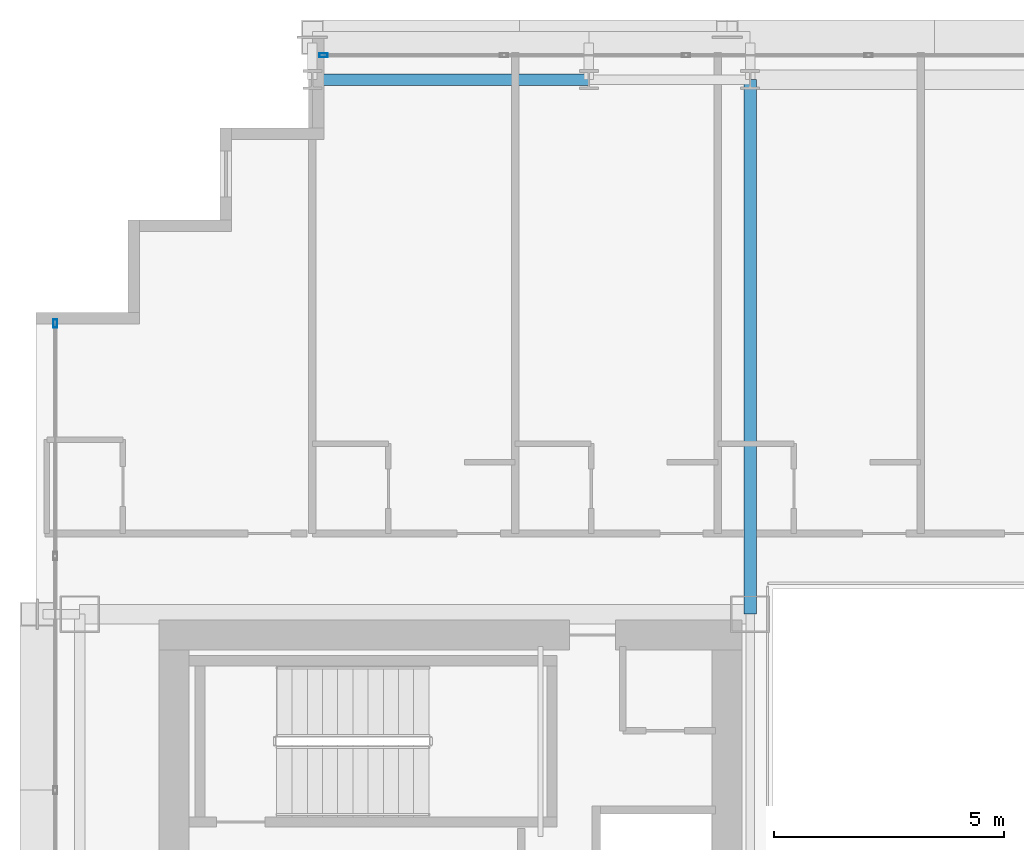
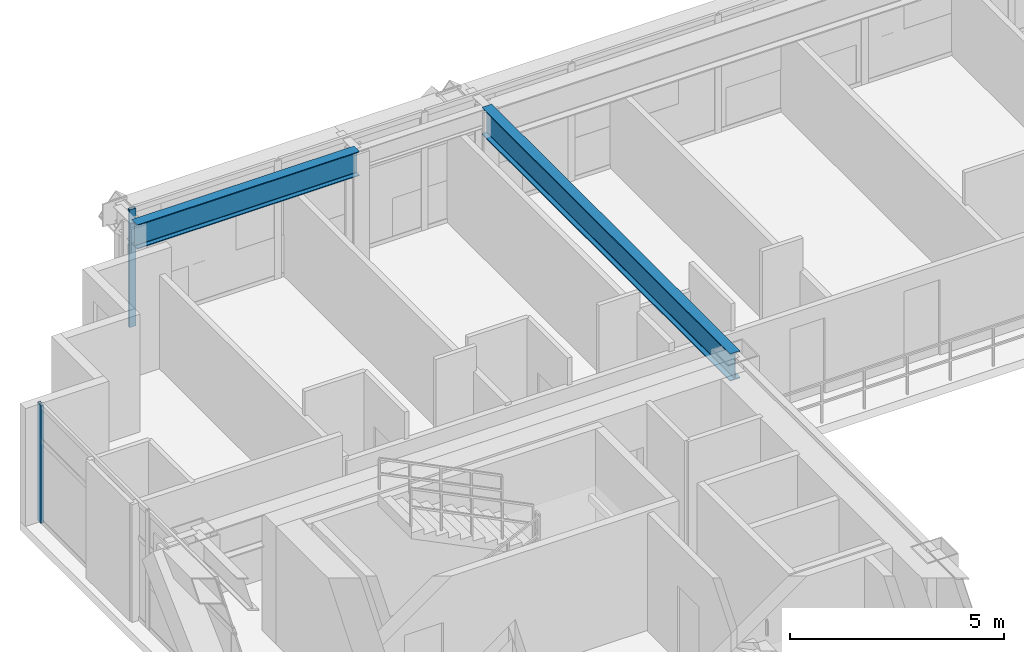
# One storey, part 17 of 36: 2 beams, 2 members, 2 elements without a shape of their own.
"""IFC4 building model written with IfcOpenShell, lengths in metres."""

from ifc_helpers import new_model, si_unit, direction, frame, origin, origin_2d, place, context, subcontext, project, spatial, hollow_rectangle, i_section, extrude, source, transform, mapped, material, layer, layer_set, material_profile, profile_set, type_object, element, aggregate, save


model = new_model("IFC4")

# Units and contexts
model_context = context("Model", 3, precision=1e-05, world=origin(), true_north=direction((0.0, 1.0)))
body_context = subcontext(model_context, "Body", "Model", "MODEL_VIEW")
ifc_project = project(units=[si_unit("LENGTHUNIT", "METRE"), si_unit("AREAUNIT", "SQUARE_METRE"), si_unit("VOLUMEUNIT", "CUBIC_METRE"), si_unit("PLANEANGLEUNIT", "RADIAN"), si_unit("MASSUNIT", "GRAM", prefix="KILO")], contexts=[model_context])

# Site, building, storey
site_placement = place(None, origin())
site = spatial("IfcSite", under=ifc_project, at=site_placement, CompositionType="ELEMENT")
building_placement = place(site_placement, origin())
building = spatial("IfcBuilding", under=site, at=building_placement, Name="Ocotamira Hotel", CompositionType="ELEMENT")
storey_placement = place(building_placement, frame((0.0, 0.0, 136.800048828125)))
storey = spatial("IfcBuildingStorey", under=building, at=storey_placement, Name="L34", CompositionType="ELEMENT", Elevation=136.800048828125)

# Beams
ifc_material_1 = material(Name="Steel ASTM A992 Grade 50", Category="steel")
ifc_material_profile_1 = material_profile(ifc_material_1, i_section(OverallWidth=0.256103515625, OverallDepth=0.693115234375, WebThickness=0.014404296875, FlangeThickness=0.023681640625, FilletRadius=0.01611328125, at=origin_2d()), Name="W27X114")
ifc_profile_set_1 = profile_set([ifc_material_profile_1], Name="Steel ASTM A992 Grade 50")
beam_type_1 = type_object("IfcBeamType", Name="BM-PRIM-W27X114", PredefinedType="BEAM", material=ifc_profile_set_1)
shared_shape_1 = source(origin(), body_context, "Body", "SweptSolid", [
    extrude(i_section(OverallWidth=0.256103515625, OverallDepth=0.693115234375, WebThickness=0.014404296875, FlangeThickness=0.023681640625, FilletRadius=0.01611328125, at=origin_2d()), origin(), (0.0, 0.0, 1.0), 6.0),
])
beam_1_placement = place(storey_placement, frame((14.0, 49.050048828125, 3.013427734375), z_axis=(1.0, 0.0, 0.0), x_axis=(0.0, 1.0, 0.0)))
element("IfcBeam", 1, at=beam_1_placement, inside=storey, type_object=beam_type_1, Name="L34 Girder Y49.05 X14-20", PredefinedType="BEAM", context=body_context, shape_type="MappedRepresentation", body=[
    mapped(shared_shape_1, transform((0.0, 0.0, 0.0), scale=1.0)),
])
ifc_material_profile_2 = material_profile(ifc_material_1, i_section(OverallWidth=0.26611328125, OverallDepth=0.779052734375, WebThickness=0.0166015625, FlangeThickness=0.030029296875, FilletRadius=0.01806640625, at=origin_2d()), Name="W30X148")
ifc_profile_set_2 = profile_set([ifc_material_profile_2], Name="Steel ASTM A992 Grade 50")
beam_type_2 = type_object("IfcBeamType", Name="BM-GIRD-W30X148", PredefinedType="BEAM", material=ifc_profile_set_2)
shared_shape_2 = source(origin(), body_context, "Body", "SweptSolid", [
    extrude(i_section(OverallWidth=0.26611328125, OverallDepth=0.779052734375, WebThickness=0.0166015625, FlangeThickness=0.030029296875, FilletRadius=0.01806640625, at=origin_2d()), origin(), (0.0, 0.0, 1.0), 11.60009765625),
])
beam_2_placement = place(storey_placement, frame((23.5, 37.449951171875, 2.970458984375), z_axis=(0.0, 1.0, 0.0), x_axis=(-1.0, 0.0, 0.0)))
element("IfcBeam", 2, at=beam_2_placement, inside=storey, type_object=beam_type_2, Name="L34 Beam X23.5 Y37.45-49.05", PredefinedType="BEAM", context=body_context, shape_type="MappedRepresentation", body=[
    mapped(shared_shape_2, transform((0.0, 0.0, 0.0), scale=1.0)),
])

# Curtain wall, member
ifc_material_2 = material(Name="Anodised pale-metal aluminium and solar glass", Category="aluminium")
ifc_layer = layer(ifc_material_2, 0.179931640625)
ifc_layer_set = layer_set([ifc_layer], Name="Anodised pale-metal aluminium and solar glass")
curtain_wall_type = type_object("IfcCurtainWallType", Name="CW-SYS3-Z2", PredefinedType="NOTDEFINED", material=ifc_layer_set)
curtain_wall_1_placement = place(storey_placement, origin())
curtain_wall_1 = element("IfcCurtainWall", 3, at=curtain_wall_1_placement, inside=storey, type_object=curtain_wall_type, Name="L34 Curtain Wall CW-3 CW-L34-N", PredefinedType="NOTDEFINED")
ifc_material_3 = material(Name="Anodised pale-metal aluminium 6063-T6", Category="aluminium")
ifc_material_profile_3 = material_profile(ifc_material_3, hollow_rectangle(XDim=0.080078125, YDim=0.179931640625, WallThickness=0.006103515625, at=origin_2d()), Name="HSS180X80X6")
ifc_profile_set_3 = profile_set([ifc_material_profile_3], Name="Anodised pale-metal aluminium 6063-T6")
member_type = type_object("IfcMemberType", Name="CWM-180X75", PredefinedType="MULLION", material=ifc_profile_set_3)
shared_shape_3 = source(origin(), body_context, "Body", "SweptSolid", [
    extrude(hollow_rectangle(XDim=0.080078125, YDim=0.179931640625, WallThickness=0.006103515625, at=origin_2d()), origin(), (0.0, 0.0, 1.0), 3.35986328125),
])
member_1_placement = place(storey_placement, frame((14.239990234375, 49.580078125, 0.0), z_axis=(0.0, 0.0, 1.0), x_axis=(0.0, 1.0, 0.0)))
member_1 = element("IfcMember", 4, at=member_1_placement, type_object=member_type, Name="CW-3 mullion 1", PredefinedType="MULLION", context=body_context, shape_type="MappedRepresentation", body=[
    mapped(shared_shape_3, transform((0.0, 0.0, 0.0), scale=1.0)),
])
aggregate(curtain_wall_1, [member_1])

curtain_wall_2_placement = place(storey_placement, origin())
curtain_wall_2 = element("IfcCurtainWall", 5, at=curtain_wall_2_placement, inside=storey, type_object=curtain_wall_type, Name="L34 Curtain Wall CW-3 CW-L34-W", PredefinedType="NOTDEFINED")
member_2_placement = place(storey_placement, frame((8.419921875, 43.760009765625, 0.0), z_axis=(0.0, 0.0, 1.0), x_axis=(-1.0, 0.0, 0.0)))
member_2 = element("IfcMember", 6, at=member_2_placement, type_object=member_type, Name="CW-3 mullion 8", PredefinedType="MULLION", context=body_context, shape_type="MappedRepresentation", body=[
    mapped(shared_shape_3, transform((0.0, 0.0, 0.0), scale=1.0)),
])
aggregate(curtain_wall_2, [member_2])

save(model, "model.ifc")
